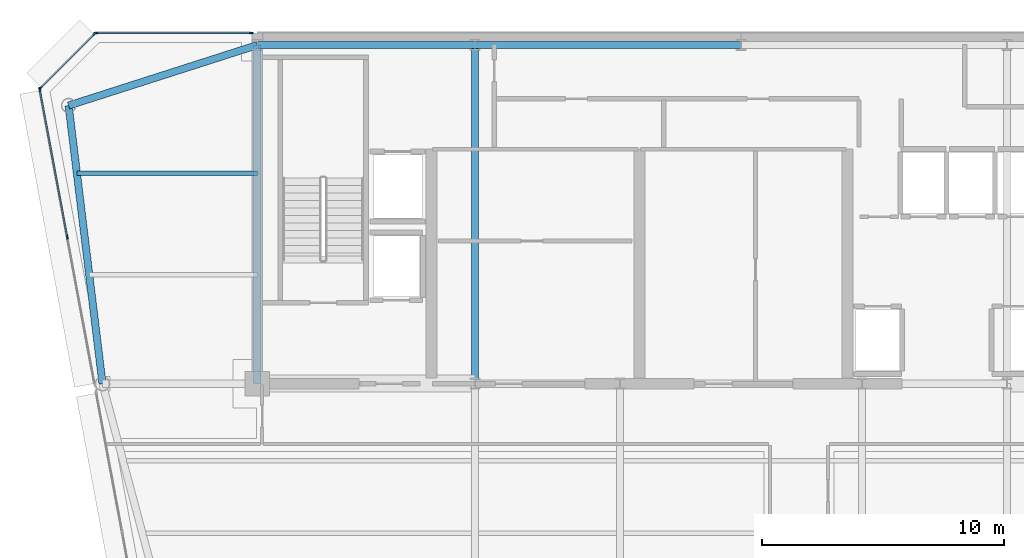
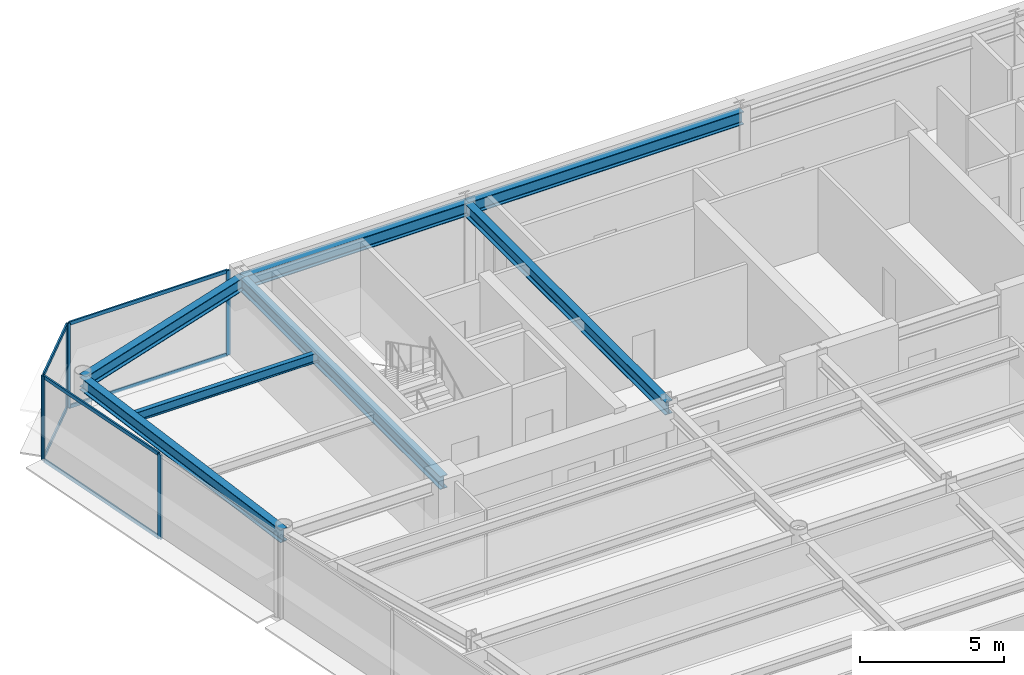
# One storey, part 7 of 18: 12 members, 7 beams, 3 elements without a shape of their own.
"""IFC4 building model written with IfcOpenShell, lengths in metres."""

from ifc_helpers import new_model, si_unit, direction, frame, origin, origin_2d, place, context, subcontext, project, spatial, rectangle, i_section, extrude, source, transform, mapped, material, layer, layer_set, material_profile, profile_set, type_object, element, aggregate, save


model = new_model("IFC4")

# Units and contexts
model_context = context("Model", 3, precision=1e-05, world=origin(), true_north=direction((0.0, 1.0)))
body_context = subcontext(model_context, "Body", "Model", "MODEL_VIEW")
ifc_project = project(units=[si_unit("LENGTHUNIT", "METRE"), si_unit("AREAUNIT", "SQUARE_METRE"), si_unit("VOLUMEUNIT", "CUBIC_METRE"), si_unit("PLANEANGLEUNIT", "RADIAN"), si_unit("MASSUNIT", "GRAM", prefix="KILO")], contexts=[model_context])

# Site, building, storey
site_placement = place(None, origin())
site = spatial("IfcSite", under=ifc_project, at=site_placement, CompositionType="ELEMENT")
building_placement = place(site_placement, origin())
building = spatial("IfcBuilding", under=site, at=building_placement, Name="Vaeldorn Concourse Tower", CompositionType="ELEMENT")
storey_placement = place(building_placement, frame((0.0, 0.0, 246.0)))
storey = spatial("IfcBuildingStorey", under=building, at=storey_placement, Name="L63", CompositionType="ELEMENT", Elevation=246.0)

# Beams
ifc_material_1 = material(Name="Steel S355", Category="steel")
ifc_material_profile_1 = material_profile(ifc_material_1, i_section(OverallWidth=0.179931640625, OverallDepth=0.39990234375, WebThickness=0.008544921875, FlangeThickness=0.013427734375, FilletRadius=0.02099609375, at=origin_2d()), Name="IPE 400")
ifc_profile_set_1 = profile_set([ifc_material_profile_1], Name="Steel S355")
beam_type_1 = type_object("IfcBeamType", Name="BM-JS-IPE400", PredefinedType="JOIST", material=ifc_profile_set_1)
shared_shape_1 = source(origin(), body_context, "Body", "SweptSolid", [
    extrude(i_section(OverallWidth=0.179931640625, OverallDepth=0.39990234375, WebThickness=0.008544921875, FlangeThickness=0.013427734375, FilletRadius=0.02099609375, at=origin_2d()), origin(), (0.0, 0.0, 1.0), 7.458984375),
])
beam_1_placement = place(storey_placement, frame((6.541015625, 45.199951171875, 3.3798828125), z_axis=(1.0, 0.0, 0.0), x_axis=(0.0, 1.0, 0.0)))
element("IfcBeam", 1, at=beam_1_placement, inside=storey, type_object=beam_type_1, Name="Beam JS-L63-NW-452", PredefinedType="JOIST", context=body_context, shape_type="MappedRepresentation", body=[
    mapped(shared_shape_1, transform((0.0, 0.0, 0.0), scale=1.0)),
])
ifc_material_profile_2 = material_profile(ifc_material_1, i_section(OverallWidth=0.300048828125, OverallDepth=0.550048828125, WebThickness=0.014892578125, FlangeThickness=0.029052734375, FilletRadius=0.027099609375, at=origin_2d()), Name="HEB 550")
ifc_profile_set_2 = profile_set([ifc_material_profile_2], Name="Steel S355")
beam_type_2 = type_object("IfcBeamType", Name="BM-PG-HEB550", PredefinedType="BEAM", material=ifc_profile_set_2)
shared_shape_2 = source(origin(), body_context, "Body", "SweptSolid", [
    extrude(i_section(OverallWidth=0.300048828125, OverallDepth=0.550048828125, WebThickness=0.014892578125, FlangeThickness=0.029052734375, FilletRadius=0.027099609375, at=origin_2d()), origin(), (0.0, 0.0, 1.0), 9.0),
])
beam_2_placement = place(storey_placement, frame((14.0, 50.5, 3.304931640625), z_axis=(1.0, 0.0, 0.0), x_axis=(0.0, 1.0, 0.0)))
element("IfcBeam", 2, at=beam_2_placement, inside=storey, type_object=beam_type_2, Name="Beam BM-L63-C-HC1-C-HC2", PredefinedType="BEAM", context=body_context, shape_type="MappedRepresentation", body=[
    mapped(shared_shape_2, transform((0.0, 0.0, 0.0), scale=1.0)),
])
shared_shape_3 = source(origin(), body_context, "Body", "SweptSolid", [
    extrude(i_section(OverallWidth=0.300048828125, OverallDepth=0.550048828125, WebThickness=0.014892578125, FlangeThickness=0.029052734375, FilletRadius=0.027099609375, at=origin_2d()), origin(), (0.0, 0.0, 1.0), 11.0),
])
beam_3_placement = place(storey_placement, frame((23.0, 50.5, 3.304931640625), z_axis=(1.0, 0.0, 0.0), x_axis=(0.0, 1.0, 0.0)))
element("IfcBeam", 3, at=beam_3_placement, inside=storey, type_object=beam_type_2, Name="Beam BM-L63-C-HC2-C-HC3", PredefinedType="BEAM", context=body_context, shape_type="MappedRepresentation", body=[
    mapped(shared_shape_3, transform((0.0, 0.0, 0.0), scale=1.0)),
])
shared_shape_4 = source(origin(), body_context, "Body", "SweptSolid", [
    extrude(i_section(OverallWidth=0.300048828125, OverallDepth=0.550048828125, WebThickness=0.014892578125, FlangeThickness=0.029052734375, FilletRadius=0.027099609375, at=origin_2d()), origin(), (0.0, 0.0, 1.0), 14.0),
])
for number, where, z_axis, x_axis, name in (
    (4, (14.0, 36.5, 3.304931640625), (0.0, 1.0, 0.0), (-1.0, 0.0, 0.0), "Beam BM-L63-C-FC1-C-HC1"),
    (5, (23.0, 36.5, 3.304931640625), (0.0, 1.0, 0.0), (-1.0, 0.0, 0.0), "Beam BM-L63-C-FC2-C-HC2"),
):
    element("IfcBeam", number, at=place(storey_placement, frame(where, z_axis=z_axis, x_axis=x_axis)), inside=storey, type_object=beam_type_2, Name=name, PredefinedType="BEAM", context=body_context, shape_type="MappedRepresentation", body=[
        mapped(shared_shape_4, transform((0.0, 0.0, 0.0), scale=1.0)),
    ])
shared_shape_5 = source(origin(), body_context, "Body", "SweptSolid", [
    extrude(i_section(OverallWidth=0.300048828125, OverallDepth=0.550048828125, WebThickness=0.014892578125, FlangeThickness=0.029052734375, FilletRadius=0.027099609375, at=origin_2d()), origin(), (0.0, 0.0, 1.0), 8.19091796875),
])
beam_4_placement = place(storey_placement, frame((6.199951171875, 48.0, 3.304931640625), z_axis=(0.952282843383, 0.305216949396, 0.0), x_axis=(-0.305216949396, 0.952282843383, 0.0)))
element("IfcBeam", 6, at=beam_4_placement, inside=storey, type_object=beam_type_2, Name="Beam BM-L63-C-NW1-C-HC1", PredefinedType="BEAM", context=body_context, shape_type="MappedRepresentation", body=[
    mapped(shared_shape_5, transform((0.0, 0.0, 0.0), scale=1.0)),
])
shared_shape_6 = source(origin(), body_context, "Body", "SweptSolid", [
    extrude(i_section(OverallWidth=0.300048828125, OverallDepth=0.550048828125, WebThickness=0.014892578125, FlangeThickness=0.029052734375, FilletRadius=0.027099609375, at=origin_2d()), origin(), (0.0, 0.0, 1.0), 11.5849609375),
])
beam_5_placement = place(storey_placement, frame((6.199951171875, 48.0, 3.304931640625), z_axis=(0.120859382899, -0.992669637677, 0.0), x_axis=(0.992669637677, 0.120859382899, 0.0)))
element("IfcBeam", 7, at=beam_5_placement, inside=storey, type_object=beam_type_2, Name="Beam BM-L63-C-NW1-C-NW2", PredefinedType="BEAM", context=body_context, shape_type="MappedRepresentation", body=[
    mapped(shared_shape_6, transform((0.0, 0.0, 0.0), scale=1.0)),
])

# Curtain wall, members
ifc_material_2 = material(Name="Anodised Bronze Aluminium", Category="aluminium")
ifc_layer = layer(ifc_material_2, 0.179931640625)
ifc_layer_set = layer_set([ifc_layer], Name="Anodised Bronze Aluminium")
curtain_wall_type = type_object("IfcCurtainWallType", Name="CW-SYS-05", PredefinedType="NOTDEFINED", material=ifc_layer_set)
curtain_wall_1_placement = place(storey_placement, origin())
curtain_wall_1 = element("IfcCurtainWall", 8, at=curtain_wall_1_placement, inside=storey, type_object=curtain_wall_type, Name="Unitised Curtain Wall CW-L63-E10-1", PredefinedType="NOTDEFINED")
ifc_material_profile_3 = material_profile(ifc_material_2, rectangle(XDim=0.06494140625, YDim=0.14990234375, at=origin_2d()), Name="CWT 65x150")
ifc_profile_set_3 = profile_set([ifc_material_profile_3], Name="Anodised Bronze Aluminium")
member_type_1 = type_object("IfcMemberType", Name="CWT-BRONZE-150", PredefinedType="USERDEFINED", material=ifc_profile_set_3)
shared_shape_7 = source(origin(), body_context, "Body", "SweptSolid", [
    extrude(rectangle(XDim=0.06494140625, YDim=0.14990234375, at=origin_2d()), origin(), (0.0, 0.0, 1.0), 3.123046875),
])
member_1_placement = place(storey_placement, frame((7.254150390625, 50.9541015625, 0.032470703125), z_axis=(-0.707106781187, -0.707106781187, 0.0), x_axis=(0.707106781187, -0.707106781187, 0.0)))
member_1 = element("IfcMember", 9, at=member_1_placement, type_object=member_type_1, Name="CW-05 transom 1.1", ObjectType="TRANSOM", PredefinedType="USERDEFINED", context=body_context, shape_type="MappedRepresentation", body=[
    mapped(shared_shape_7, transform((0.0, 0.0, 0.0), scale=1.0)),
])
member_2_placement = place(storey_placement, frame((7.254150390625, 50.9541015625, 3.547607421875), z_axis=(-0.707106781187, -0.707106781187, 0.0), x_axis=(0.707106781187, -0.707106781187, 0.0)))
member_2 = element("IfcMember", 10, at=member_2_placement, type_object=member_type_1, Name="CW-05 transom 1.2", ObjectType="TRANSOM", PredefinedType="USERDEFINED", context=body_context, shape_type="MappedRepresentation", body=[
    mapped(shared_shape_7, transform((0.0, 0.0, 0.0), scale=1.0)),
])

curtain_wall_2_placement = place(storey_placement, origin())
curtain_wall_2 = element("IfcCurtainWall", 11, at=curtain_wall_2_placement, inside=storey, type_object=curtain_wall_type, Name="Unitised Curtain Wall CW-L63-E09-2", PredefinedType="NOTDEFINED")
ifc_material_profile_4 = material_profile(ifc_material_2, rectangle(XDim=0.06494140625, YDim=0.169921875, at=origin_2d()), Name="CWM 65x170")
ifc_profile_set_4 = profile_set([ifc_material_profile_4], Name="Anodised Bronze Aluminium")
member_type_2 = type_object("IfcMemberType", Name="CWM-BRONZE-170", PredefinedType="MULLION", material=ifc_profile_set_4)
shared_shape_8 = source(origin(), body_context, "Body", "SweptSolid", [
    extrude(rectangle(XDim=0.06494140625, YDim=0.169921875, at=origin_2d()), origin(), (0.0, 0.0, 1.0), 3.580078125),
])
member_3_placement = place(storey_placement, frame((13.74755859375, 51.0, 0.0), z_axis=(0.0, 0.0, 1.0), x_axis=(0.0, -1.0, 0.0)))
member_3 = element("IfcMember", 12, at=member_3_placement, type_object=member_type_2, Name="CW-05 mullion 1", PredefinedType="MULLION", context=body_context, shape_type="MappedRepresentation", body=[
    mapped(shared_shape_8, transform((0.0, 0.0, 0.0), scale=1.0)),
])
member_4_placement = place(storey_placement, frame((7.33251953125, 51.0, 0.0), z_axis=(0.0, 0.0, 1.0), x_axis=(0.0, -1.0, 0.0)))
member_4 = element("IfcMember", 13, at=member_4_placement, type_object=member_type_2, Name="CW-05 mullion 2", PredefinedType="MULLION", context=body_context, shape_type="MappedRepresentation", body=[
    mapped(shared_shape_8, transform((0.0, 0.0, 0.0), scale=1.0)),
])

# Member
member_5_placement = place(storey_placement, frame((7.277099609375, 50.97705078125, 0.0), z_axis=(0.0, 0.0, 1.0), x_axis=(0.707106781187, -0.707106781187, 0.0)))
member_5 = element("IfcMember", 14, at=member_5_placement, type_object=member_type_2, Name="CW-05 mullion 1", PredefinedType="MULLION", context=body_context, shape_type="MappedRepresentation", body=[
    mapped(shared_shape_8, transform((0.0, 0.0, 0.0), scale=1.0)),
])

member_6_placement = place(storey_placement, frame((5.02294921875, 48.722900390625, 0.0), z_axis=(0.0, 0.0, 1.0), x_axis=(0.707106781187, -0.707106781187, 0.0)))
member_6 = element("IfcMember", 15, at=member_6_placement, type_object=member_type_2, Name="CW-05 mullion 2", PredefinedType="MULLION", context=body_context, shape_type="MappedRepresentation", body=[
    mapped(shared_shape_8, transform((0.0, 0.0, 0.0), scale=1.0)),
])

aggregate(curtain_wall_1, [member_5, member_6, member_1, member_2])

# Curtain wall, members
curtain_wall_3_placement = place(storey_placement, origin())
curtain_wall_3 = element("IfcCurtainWall", 16, at=curtain_wall_3_placement, inside=storey, type_object=curtain_wall_type, Name="Unitised Curtain Wall CW-L63-E11-1", PredefinedType="NOTDEFINED")
member_7_placement = place(storey_placement, frame((5.005859375, 48.66796875, 0.0), z_axis=(0.0, 0.0, 1.0), x_axis=(0.983102768025, 0.183054493257, 0.0)))
member_7 = element("IfcMember", 17, at=member_7_placement, type_object=member_type_2, Name="CW-05 mullion 1", PredefinedType="MULLION", context=body_context, shape_type="MappedRepresentation", body=[
    mapped(shared_shape_8, transform((0.0, 0.0, 0.0), scale=1.0)),
])
member_8_placement = place(storey_placement, frame((6.142578125, 42.564208984375, 0.0), z_axis=(0.0, 0.0, 1.0), x_axis=(0.983102768025, 0.183054493257, 0.0)))
member_8 = element("IfcMember", 18, at=member_8_placement, type_object=member_type_2, Name="CW-05 mullion 2", PredefinedType="MULLION", context=body_context, shape_type="MappedRepresentation", body=[
    mapped(shared_shape_8, transform((0.0, 0.0, 0.0), scale=1.0)),
])
shared_shape_9 = source(origin(), body_context, "Body", "SweptSolid", [
    extrude(rectangle(XDim=0.06494140625, YDim=0.14990234375, at=origin_2d()), origin(), (0.0, 0.0, 1.0), 6.1435546875),
])
member_9_placement = place(storey_placement, frame((5.011962890625, 48.635986328125, 0.032470703125), z_axis=(0.183038328644, -0.983105777751, 0.0), x_axis=(0.983105777751, 0.183038328644, 0.0)))
member_9 = element("IfcMember", 19, at=member_9_placement, type_object=member_type_1, Name="CW-05 transom 1.1", ObjectType="TRANSOM", PredefinedType="USERDEFINED", context=body_context, shape_type="MappedRepresentation", body=[
    mapped(shared_shape_9, transform((0.0, 0.0, 0.0), scale=1.0)),
])
member_10_placement = place(storey_placement, frame((5.011962890625, 48.635986328125, 3.547607421875), z_axis=(0.183038328644, -0.983105777751, 0.0), x_axis=(0.983105777751, 0.183038328644, 0.0)))
member_10 = element("IfcMember", 20, at=member_10_placement, type_object=member_type_1, Name="CW-05 transom 1.2", ObjectType="TRANSOM", PredefinedType="USERDEFINED", context=body_context, shape_type="MappedRepresentation", body=[
    mapped(shared_shape_9, transform((0.0, 0.0, 0.0), scale=1.0)),
])
aggregate(curtain_wall_3, [member_7, member_8, member_9, member_10])

# Member
shared_shape_10 = source(origin(), body_context, "Body", "SweptSolid", [
    extrude(rectangle(XDim=0.06494140625, YDim=0.14990234375, at=origin_2d()), origin(), (0.0, 0.0, 1.0), 6.35009765625),
])
member_11_placement = place(storey_placement, frame((13.715087890625, 51.0, 0.032470703125), z_axis=(-1.0, 0.0, 0.0), x_axis=(0.0, -1.0, 0.0)))
member_11 = element("IfcMember", 21, at=member_11_placement, type_object=member_type_1, Name="CW-05 transom 1.1", ObjectType="TRANSOM", PredefinedType="USERDEFINED", context=body_context, shape_type="MappedRepresentation", body=[
    mapped(shared_shape_10, transform((0.0, 0.0, 0.0), scale=1.0)),
])

member_12_placement = place(storey_placement, frame((13.715087890625, 51.0, 3.547607421875), z_axis=(-1.0, 0.0, 0.0), x_axis=(0.0, -1.0, 0.0)))
member_12 = element("IfcMember", 22, at=member_12_placement, type_object=member_type_1, Name="CW-05 transom 1.2", ObjectType="TRANSOM", PredefinedType="USERDEFINED", context=body_context, shape_type="MappedRepresentation", body=[
    mapped(shared_shape_10, transform((0.0, 0.0, 0.0), scale=1.0)),
])

aggregate(curtain_wall_2, [member_3, member_4, member_11, member_12])

save(model, "model.ifc")
